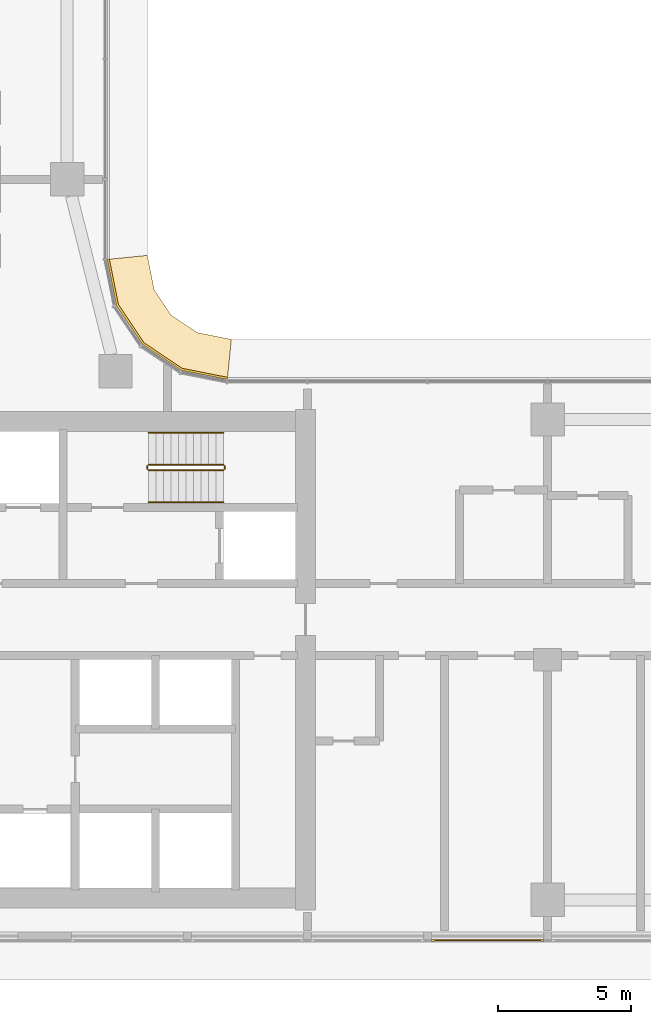
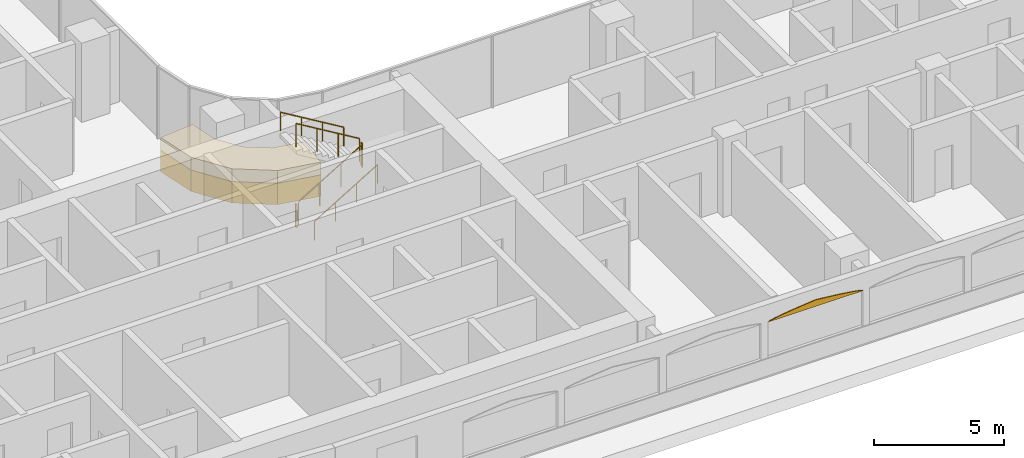
# One storey, part 20 of 25: 6 railings, 3 coverings.
"""IFC4 building model written with IfcOpenShell, lengths in metres."""

from ifc_helpers import new_model, si_unit, direction, frame, origin, origin_2d, place, context, subcontext, project, spatial, polyline, circle, outline, extrude, material, layer, layer_set, type_object, element, save


model = new_model("IFC4")

# Units and contexts
model_context = context("Model", 3, precision=1e-05, world=origin(), true_north=direction((0.0, 1.0)))
body_context = subcontext(model_context, "Body", "Model", "MODEL_VIEW")
ifc_project = project(units=[si_unit("LENGTHUNIT", "METRE"), si_unit("AREAUNIT", "SQUARE_METRE"), si_unit("VOLUMEUNIT", "CUBIC_METRE"), si_unit("PLANEANGLEUNIT", "RADIAN"), si_unit("MASSUNIT", "GRAM", prefix="KILO")], contexts=[model_context])

# Site, building, storey
site_placement = place(None, origin())
site = spatial("IfcSite", under=ifc_project, at=site_placement, CompositionType="ELEMENT")
building_placement = place(site_placement, origin())
building = spatial("IfcBuilding", under=site, at=building_placement, Name="Ogive Portal Towers", CompositionType="ELEMENT")
storey_placement = place(building_placement, frame((0.0, 0.0, 105.60009765625)))
storey = spatial("IfcBuildingStorey", under=building, at=storey_placement, Name="L25", CompositionType="ELEMENT", Elevation=105.60009765625)

# Railings
ifc_material_1 = material(Name="Stainless steel balustrade", Category="steel")
railing_type_1 = type_object("IfcRailingType", Name="INT-GUARD", PredefinedType="GUARDRAIL", material=ifc_material_1)
railing_1_placement = place(storey_placement, frame((52.550048828125, 37.60009765625, 0.16796875)))
element("IfcRailing", 1, at=railing_1_placement, inside=storey, type_object=railing_type_1, Name="L25 ST-A2 stair guard 1", PredefinedType="GUARDRAIL", context=body_context, shape_type="SweptSolid", body=[
    extrude(circle(Radius=0.02392578125, at=origin_2d()), frame((0.0, 0.0, 1.076171875), z_axis=(0.857242210791, 0.0, 0.514913383045), x_axis=(0.0, 1.0, 0.0)), (0.0, 0.0, 1.0), 3.266357421875),
    extrude(circle(Radius=0.02099609375, at=origin_2d()), origin(), (0.0, 0.0, 1.0), 1.052001953125),
    extrude(circle(Radius=0.02099609375, at=origin_2d()), frame((0.933349609375, 0.0, 0.560546875)), (0.0, 0.0, 1.0), 1.052001953125),
    extrude(circle(Radius=0.02099609375, at=origin_2d()), frame((1.86669921875, 0.0, 1.121337890625)), (0.0, 0.0, 1.0), 1.052001953125),
    extrude(circle(Radius=0.02099609375, at=origin_2d()), frame((2.800048828125, 0.0, 1.681884765625)), (0.0, 0.0, 1.0), 1.052001953125),
])
railing_2_placement = place(storey_placement, frame((55.39990234375, 37.64990234375, 1.849853515625)))
element("IfcRailing", 2, at=railing_2_placement, inside=storey, type_object=railing_type_1, Name="L25 ST-A2 stair guard 2", PredefinedType="GUARDRAIL", context=body_context, shape_type="SweptSolid", body=[
    extrude(circle(Radius=0.02392578125, at=origin_2d()), frame((0.0, 0.0, 1.076171875), z_axis=(0.0, 1.0, 0.0), x_axis=(-1.0, 0.0, 0.0)), (0.0, 0.0, 1.0), 0.10009765625),
    extrude(circle(Radius=0.02099609375, at=origin_2d()), origin(), (0.0, 0.0, 1.0), 1.052001953125),
    extrude(circle(Radius=0.02099609375, at=origin_2d()), frame((0.0, 0.10009765625, 0.0)), (0.0, 0.0, 1.0), 1.052001953125),
])
railing_3_placement = place(storey_placement, frame((55.35009765625, 37.800048828125, 2.01806640625)))
element("IfcRailing", 3, at=railing_3_placement, inside=storey, type_object=railing_type_1, Name="L25 ST-A2 stair guard 3", PredefinedType="GUARDRAIL", context=body_context, shape_type="SweptSolid", body=[
    extrude(circle(Radius=0.02392578125, at=origin_2d()), frame((0.0, 0.0, 1.076171875), z_axis=(-0.857242210791, 0.0, 0.514913383045), x_axis=(0.0, -1.0, 0.0)), (0.0, 0.0, 1.0), 3.266357421875),
    extrude(circle(Radius=0.02099609375, at=origin_2d()), origin(), (0.0, 0.0, 1.0), 1.052001953125),
    extrude(circle(Radius=0.02099609375, at=origin_2d()), frame((-0.933349609375, 0.0, 0.560546875)), (0.0, 0.0, 1.0), 1.052001953125),
    extrude(circle(Radius=0.02099609375, at=origin_2d()), frame((-1.86669921875, 0.0, 1.121337890625)), (0.0, 0.0, 1.0), 1.052001953125),
    extrude(circle(Radius=0.02099609375, at=origin_2d()), frame((-2.800048828125, 0.0, 1.681884765625)), (0.0, 0.0, 1.0), 1.052001953125),
])
railing_4_placement = place(storey_placement, frame((52.5, 37.64990234375, 0.0)))
element("IfcRailing", 4, at=railing_4_placement, inside=storey, type_object=railing_type_1, Name="L25 ST-A2 stair guard 4", PredefinedType="GUARDRAIL", context=body_context, shape_type="SweptSolid", body=[
    extrude(circle(Radius=0.02392578125, at=origin_2d()), frame((0.0, 0.0, 1.076171875), z_axis=(0.0, 1.0, 0.0), x_axis=(-1.0, 0.0, 0.0)), (0.0, 0.0, 1.0), 0.10009765625),
    extrude(circle(Radius=0.02099609375, at=origin_2d()), origin(), (0.0, 0.0, 1.0), 1.052001953125),
    extrude(circle(Radius=0.02099609375, at=origin_2d()), frame((0.0, 0.10009765625, 0.0)), (0.0, 0.0, 1.0), 1.052001953125),
])
ifc_material_2 = material(Name="Stainless steel handrail", Category="steel")
railing_type_2 = type_object("IfcRailingType", Name="INT-HANDRAIL", PredefinedType="HANDRAIL", material=ifc_material_2)
railing_5_placement = place(storey_placement, frame((52.550048828125, 36.39990234375, 0.16796875)))
element("IfcRailing", 5, at=railing_5_placement, inside=storey, type_object=railing_type_2, Name="L25 ST-A2 stair handrail 1", PredefinedType="HANDRAIL", context=body_context, shape_type="SweptSolid", body=[
    extrude(circle(Radius=0.02392578125, at=origin_2d()), frame((0.0, 0.0, 0.8759765625), z_axis=(0.857242210791, 0.0, 0.514913383045), x_axis=(0.0, 1.0, 0.0)), (0.0, 0.0, 1.0), 3.266357421875),
    extrude(circle(Radius=0.02099609375, at=origin_2d()), origin(), (0.0, 0.0, 1.0), 0.851806640625),
    extrude(circle(Radius=0.02099609375, at=origin_2d()), frame((0.933349609375, 0.0, 0.560546875)), (0.0, 0.0, 1.0), 0.851806640625),
    extrude(circle(Radius=0.02099609375, at=origin_2d()), frame((1.86669921875, 0.0, 1.121337890625)), (0.0, 0.0, 1.0), 0.851806640625),
    extrude(circle(Radius=0.02099609375, at=origin_2d()), frame((2.800048828125, 0.0, 1.681884765625)), (0.0, 0.0, 1.0), 0.851806640625),
])
railing_6_placement = place(storey_placement, frame((55.35009765625, 39.0, 2.01806640625)))
element("IfcRailing", 6, at=railing_6_placement, inside=storey, type_object=railing_type_2, Name="L25 ST-A2 stair handrail 2", PredefinedType="HANDRAIL", context=body_context, shape_type="SweptSolid", body=[
    extrude(circle(Radius=0.02392578125, at=origin_2d()), frame((0.0, 0.0, 0.8759765625), z_axis=(-0.857242210791, 0.0, 0.514913383045), x_axis=(0.0, -1.0, 0.0)), (0.0, 0.0, 1.0), 3.266357421875),
    extrude(circle(Radius=0.02099609375, at=origin_2d()), origin(), (0.0, 0.0, 1.0), 0.851806640625),
    extrude(circle(Radius=0.02099609375, at=origin_2d()), frame((-0.933349609375, 0.0, 0.560546875)), (0.0, 0.0, 1.0), 0.851806640625),
    extrude(circle(Radius=0.02099609375, at=origin_2d()), frame((-1.86669921875, 0.0, 1.121337890625)), (0.0, 0.0, 1.0), 0.851806640625),
    extrude(circle(Radius=0.02099609375, at=origin_2d()), frame((-2.800048828125, 0.0, 1.681884765625)), (0.0, 0.0, 1.0), 0.851806640625),
])

# Coverings
ifc_material_3 = material(Name="Limestone cladding on lightweight block wall", Category="masonry")
ifc_layer_1 = layer(ifc_material_3, 0.0400390625)
ifc_layer_set_1 = layer_set([ifc_layer_1], Name="LANCET HEAD STONE")
covering_type_1 = type_object("IfcCoveringType", Name="LANCET HEAD STONE", PredefinedType="CLADDING", material=ifc_layer_set_1)
covering_1_placement = place(storey_placement, frame((63.14990234375, 20.0, 2.599853515625), z_axis=(0.0, 0.999948962386, 0.010103099685), x_axis=(1.0, 0.0, 0.0)))
element("IfcCovering", 7, at=covering_1_placement, inside=storey, type_object=covering_type_1, Name="Lancet head", PredefinedType="CLADDING", context=body_context, shape_type="SweptSolid", body=[
    extrude(outline(polyline([(0.0, 0.0), (4.2001953125, 0.0), (4.107177734375, -0.03760067050947447), (3.9375, -0.07495474627723249), (3.7177734375, -0.11255541678670695), (3.45751953125, -0.15015362071910998), (3.162353515625, -0.18751016306393944), (2.836181640625, -0.22510836699634246), (2.481201171875, -0.2624649093411719), (2.10009765625, -0.30006311327357493), (1.718994140625, -0.2624649093411719), (1.364013671875, -0.22510836699634246), (1.037841796875, -0.18751016306393944), (0.74267578125, -0.15015362071910998), (0.482421875, -0.11255541678670695), (0.2626953125, -0.07495474627723249), (0.093017578125, -0.03760067050947447), (0.0, 0.0)])), origin(), (0.0, 0.0, -1.0), 0.0400390625),
])
ifc_layer_2 = layer(ifc_material_3, 0.080078125)
ifc_layer_set_2 = layer_set([ifc_layer_2], Name="STONE SPANDREL 80")
covering_type_2 = type_object("IfcCoveringType", Name="STONE SPANDREL 80", PredefinedType="CLADDING", material=ifc_layer_set_2)
covering_2_placement = place(storey_placement, frame((0.0, 0.0, -1.60009765625)))
element("IfcCovering", 8, at=covering_2_placement, inside=storey, type_object=covering_type_2, Name="Stone spandrel A1-F10", PredefinedType="CLADDING", context=body_context, shape_type="SweptSolid", body=[
    extrude(outline(polyline([(55.5, 41.0), (53.77783203125, 41.342529296875), (52.318115234375, 42.318115234375), (51.342529296875, 43.77783203125), (51.0, 45.5), (51.080078125, 45.5078125), (51.41796875, 43.80908203125), (52.375732421875, 42.375732421875), (53.80908203125, 41.41796875), (55.5078125, 41.080078125), (55.5, 41.0)])), origin(), (0.0, 0.0, 1.0), 1.0),
])
ifc_layer_3 = layer(ifc_material_3, 0.60009765625)
ifc_layer_set_3 = layer_set([ifc_layer_3], Name="SUNSHADE LIP 600")
covering_type_3 = type_object("IfcCoveringType", Name="SUNSHADE LIP 600", PredefinedType="CLADDING", material=ifc_layer_set_3)
covering_3_placement = place(storey_placement, frame((0.0, 0.0, -0.60009765625)))
element("IfcCovering", 9, at=covering_3_placement, inside=storey, type_object=covering_type_3, Name="Sunshade lip A1-F10", PredefinedType="CLADDING", context=body_context, shape_type="SweptSolid", body=[
    extrude(outline(polyline([(55.5, 41.0), (53.77783203125, 41.342529296875), (52.318115234375, 42.318115234375), (51.342529296875, 43.77783203125), (51.0, 45.5), (52.5, 45.647705078125), (52.755615234375, 44.36328125), (53.3994140625, 43.3994140625), (54.36328125, 42.755615234375), (55.647705078125, 42.5), (55.5, 41.0)])), origin(), (0.0, 0.0, 1.0), 0.60009765625),
])

save(model, "model.ifc")
